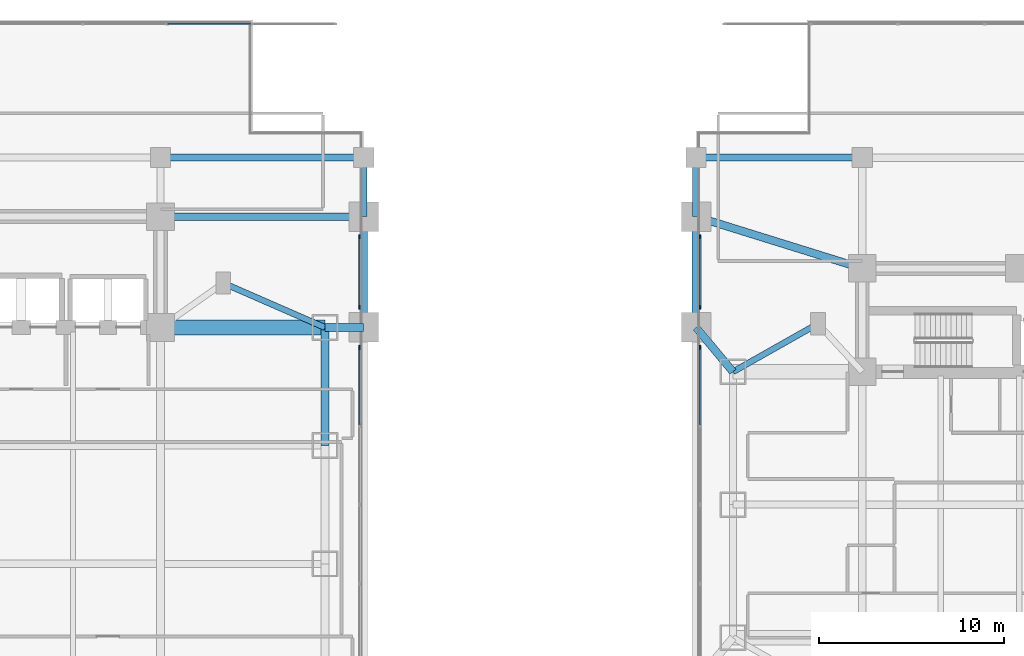
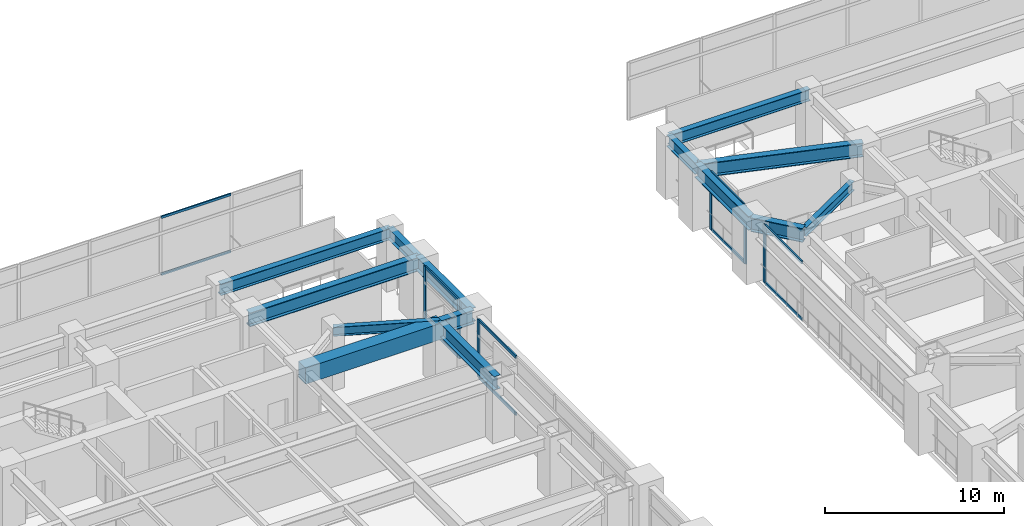
# One storey, part 7 of 31: 16 members, 14 beams, 5 elements without a shape of their own.
"""IFC4 building model written with IfcOpenShell, lengths in metres."""

from ifc_helpers import new_model, si_unit, direction, frame, origin, origin_2d, place, context, subcontext, project, spatial, rectangle, i_section, extrude, material, material_profile, profile_set, type_object, element, aggregate, save


model = new_model("IFC4")

# Units and contexts
model_context = context("Model", 3, precision=1e-05, world=origin(), true_north=direction((0.0, 1.0)))
body_context = subcontext(model_context, "Body", "Model", "MODEL_VIEW")
ifc_project = project(units=[si_unit("LENGTHUNIT", "METRE"), si_unit("AREAUNIT", "SQUARE_METRE"), si_unit("VOLUMEUNIT", "CUBIC_METRE"), si_unit("PLANEANGLEUNIT", "RADIAN"), si_unit("MASSUNIT", "GRAM", prefix="KILO")], contexts=[model_context])

# Site, building, storey
site_placement = place(None, origin())
site = spatial("IfcSite", under=ifc_project, at=site_placement, CompositionType="ELEMENT")
building_placement = place(site_placement, origin())
building = spatial("IfcBuilding", under=site, at=building_placement, Name="Mirazonda Arch Towers", CompositionType="ELEMENT")
storey_placement = place(building_placement, frame((0.0, 0.0, 5.199951171875)))
storey = spatial("IfcBuildingStorey", under=building, at=storey_placement, Name="L01", CompositionType="ELEMENT", Elevation=5.199951171875)

# Beams
ifc_material_1 = material(Name="Steel ASTM A992 Grade 50", Category="steel")
ifc_material_profile_1 = material_profile(ifc_material_1, i_section(OverallWidth=0.381103515625, OverallDepth=0.77294921875, WebThickness=0.0166015625, FlangeThickness=0.027099609375, at=origin_2d()), Name="W30X173")
ifc_profile_set_1 = profile_set([ifc_material_profile_1], Name="Steel ASTM A992 Grade 50")
beam_type_1 = type_object("IfcBeamType", Name="BM-EXT-W30X173", PredefinedType="USERDEFINED", material=ifc_profile_set_1)
beam_1_placement = place(storey_placement, frame((30.0, 46.800048828125, 3.593505859375), z_axis=(1.0, 0.0, 0.0), x_axis=(0.0, 1.0, 0.0)))
element("IfcBeam", 1, at=beam_1_placement, inside=storey, type_object=beam_type_1, Name="L01 Floor Beam BM-POD-L01-PN-3", ObjectType="GIRDER", PredefinedType="USERDEFINED", context=body_context, shape_type="SweptSolid", body=[
    extrude(i_section(OverallWidth=0.381103515625, OverallDepth=0.77294921875, WebThickness=0.0166015625, FlangeThickness=0.027099609375, at=origin_2d()), origin(), (0.0, 0.0, 1.0), 11.0),
])
beam_2_placement = place(storey_placement, frame((59.0, 46.800048828125, 3.593505859375), z_axis=(1.0, 0.0, 0.0), x_axis=(0.0, 1.0, 0.0)))
element("IfcBeam", 2, at=beam_2_placement, inside=storey, type_object=beam_type_1, Name="L01 Floor Beam BM-POD-L01-PN-4", ObjectType="GIRDER", PredefinedType="USERDEFINED", context=body_context, shape_type="SweptSolid", body=[
    extrude(i_section(OverallWidth=0.381103515625, OverallDepth=0.77294921875, WebThickness=0.0166015625, FlangeThickness=0.027099609375, at=origin_2d()), origin(), (0.0, 0.0, 1.0), 9.0),
])
ifc_material_profile_2 = material_profile(ifc_material_1, i_section(OverallWidth=0.41796875, OverallDepth=0.927001953125, WebThickness=0.019287109375, FlangeThickness=0.031982421875, at=origin_2d()), Name="W36X231")
ifc_profile_set_2 = profile_set([ifc_material_profile_2], Name="Steel ASTM A992 Grade 50")
beam_type_2 = type_object("IfcBeamType", Name="BM-EXT-W36X231", PredefinedType="USERDEFINED", material=ifc_profile_set_2)
beam_3_placement = place(storey_placement, frame((38.89990234375, 31.199951171875, 3.5166015625), z_axis=(0.0, 1.0, 0.0), x_axis=(-1.0, 0.0, 0.0)))
element("IfcBeam", 3, at=beam_3_placement, inside=storey, type_object=beam_type_2, Name="L01 Floor Beam BM-T1-L01-NS-E-31", ObjectType="GIRDER", PredefinedType="USERDEFINED", context=body_context, shape_type="SweptSolid", body=[
    extrude(i_section(OverallWidth=0.41796875, OverallDepth=0.927001953125, WebThickness=0.019287109375, FlangeThickness=0.031982421875, at=origin_2d()), origin(), (0.0, 0.0, 1.0), 6.400146484375),
])
ifc_material_profile_3 = material_profile(ifc_material_1, i_section(OverallWidth=0.423095703125, OverallDepth=0.947998046875, WebThickness=0.02392578125, FlangeThickness=0.042724609375, at=origin_2d()), Name="W36X302")
ifc_profile_set_3 = profile_set([ifc_material_profile_3], Name="Steel ASTM A992 Grade 50")
beam_type_3 = type_object("IfcBeamType", Name="BM-EXT-W36X302", PredefinedType="USERDEFINED", material=ifc_profile_set_3)
for number, where, z_axis, x_axis, name in (
    (4, (41.0, 37.60009765625, 3.506103515625), (0.0, 1.0, 0.0), (-1.0, 0.0, 0.0), "L01 Floor Beam BM-POD-L01-PA-WL3"),
    (5, (59.0, 37.60009765625, 3.506103515625), (0.0, 1.0, 0.0), (-1.0, 0.0, 0.0), "L01 Floor Beam BM-POD-L01-PA-EL3"),
):
    element("IfcBeam", number, at=place(storey_placement, frame(where, z_axis=z_axis, x_axis=x_axis)), inside=storey, type_object=beam_type_3, Name=name, ObjectType="GIRDER", PredefinedType="USERDEFINED", context=body_context, shape_type="SweptSolid", body=[
        extrude(i_section(OverallWidth=0.423095703125, OverallDepth=0.947998046875, WebThickness=0.02392578125, FlangeThickness=0.042724609375, at=origin_2d()), origin(), (0.0, 0.0, 1.0), 6.0),
    ])
ifc_material_profile_4 = material_profile(ifc_material_1, i_section(OverallWidth=0.324951171875, OverallDepth=0.615966796875, WebThickness=0.013916015625, FlangeThickness=0.021484375, at=origin_2d()), Name="W24X117")
ifc_profile_set_4 = profile_set([ifc_material_profile_4], Name="Steel ASTM A992 Grade 50")
beam_type_4 = type_object("IfcBeamType", Name="BM-INT-W24X117", PredefinedType="BEAM", material=ifc_profile_set_4)
beam_4_placement = place(storey_placement, frame((33.39990234375, 40.0, 3.672119140625), z_axis=(0.916545343703, -0.399930785183, 0.0), x_axis=(0.399930785183, 0.916545343703, 0.0)))
element("IfcBeam", 6, at=beam_4_placement, inside=storey, type_object=beam_type_4, Name="L01 Floor Beam BM-T1-L01-PL-NE2", PredefinedType="BEAM", context=body_context, shape_type="SweptSolid", body=[
    extrude(i_section(OverallWidth=0.324951171875, OverallDepth=0.615966796875, WebThickness=0.013916015625, FlangeThickness=0.021484375, at=origin_2d()), origin(), (0.0, 0.0, 1.0), 6.000732421875),
])
beam_5_placement = place(storey_placement, frame((65.60009765625, 37.800048828125, 3.672119140625), z_axis=(-0.870559396632, -0.492063346467, 0.0), x_axis=(0.492063346467, -0.870559396632, 0.0)))
element("IfcBeam", 7, at=beam_5_placement, inside=storey, type_object=beam_type_4, Name="L01 Floor Beam BM-T2-L01-PL-NW2", PredefinedType="BEAM", context=body_context, shape_type="SweptSolid", body=[
    extrude(i_section(OverallWidth=0.324951171875, OverallDepth=0.615966796875, WebThickness=0.013916015625, FlangeThickness=0.021484375, at=origin_2d()), origin(), (0.0, 0.0, 1.0), 5.2841796875),
])
ifc_material_profile_5 = material_profile(ifc_material_1, i_section(OverallWidth=0.381103515625, OverallDepth=0.77294921875, WebThickness=0.0166015625, FlangeThickness=0.027099609375, at=origin_2d()), Name="W30X173")
ifc_profile_set_5 = profile_set([ifc_material_profile_5], Name="Steel ASTM A992 Grade 50")
beam_type_5 = type_object("IfcBeamType", Name="BM-INT-W30X173", PredefinedType="USERDEFINED", material=ifc_profile_set_5)
for number, where, z_axis, x_axis, name in (
    (8, (41.0, 43.60009765625, 3.593505859375), (0.0, 1.0, 0.0), (-1.0, 0.0, 0.0), "L01 Floor Beam BM-POD-L01-PCN-4"),
    (9, (59.0, 43.60009765625, 3.593505859375), (0.0, 1.0, 0.0), (-1.0, 0.0, 0.0), "L01 Floor Beam BM-POD-L01-PCN-5"),
):
    element("IfcBeam", number, at=place(storey_placement, frame(where, z_axis=z_axis, x_axis=x_axis)), inside=storey, type_object=beam_type_5, Name=name, ObjectType="GIRDER", PredefinedType="USERDEFINED", context=body_context, shape_type="SweptSolid", body=[
        extrude(i_section(OverallWidth=0.381103515625, OverallDepth=0.77294921875, WebThickness=0.0166015625, FlangeThickness=0.027099609375, at=origin_2d()), origin(), (0.0, 0.0, 1.0), 3.199951171875),
    ])
ifc_material_profile_6 = material_profile(ifc_material_1, i_section(OverallWidth=0.423095703125, OverallDepth=0.947998046875, WebThickness=0.02392578125, FlangeThickness=0.042724609375, at=origin_2d()), Name="W36X302")
ifc_profile_set_6 = profile_set([ifc_material_profile_6], Name="Steel ASTM A992 Grade 50")
beam_type_6 = type_object("IfcBeamType", Name="BM-INT-W36X302", PredefinedType="USERDEFINED", material=ifc_profile_set_6)
beam_6_placement = place(storey_placement, frame((38.89990234375, 37.60009765625, 3.506103515625), z_axis=(1.0, 0.0, 0.0), x_axis=(0.0, 1.0, 0.0)))
element("IfcBeam", 10, at=beam_6_placement, inside=storey, type_object=beam_type_6, Name="L01 Floor Beam BM-POD-L01-PA-W3", ObjectType="GIRDER", PredefinedType="USERDEFINED", context=body_context, shape_type="SweptSolid", body=[
    extrude(i_section(OverallWidth=0.423095703125, OverallDepth=0.947998046875, WebThickness=0.02392578125, FlangeThickness=0.042724609375, at=origin_2d()), origin(), (0.0, 0.0, 1.0), 2.10009765625),
])
beam_7_placement = place(storey_placement, frame((30.0, 43.60009765625, 3.506103515625), z_axis=(1.0, 0.0, 0.0), x_axis=(0.0, 1.0, 0.0)))
element("IfcBeam", 11, at=beam_7_placement, inside=storey, type_object=beam_type_6, Name="L01 Floor Beam BM-POD-L01-PA-W4", ObjectType="GIRDER", PredefinedType="USERDEFINED", context=body_context, shape_type="SweptSolid", body=[
    extrude(i_section(OverallWidth=0.423095703125, OverallDepth=0.947998046875, WebThickness=0.02392578125, FlangeThickness=0.042724609375, at=origin_2d()), origin(), (0.0, 0.0, 1.0), 11.0),
])
beam_8_placement = place(storey_placement, frame((59.0, 37.60009765625, 3.506103515625), z_axis=(0.640161340286, -0.76824049516, 0.0), x_axis=(0.76824049516, 0.640161340286, 0.0)))
element("IfcBeam", 12, at=beam_8_placement, inside=storey, type_object=beam_type_6, Name="L01 Floor Beam BM-POD-L01-PA-E3", ObjectType="GIRDER", PredefinedType="USERDEFINED", context=body_context, shape_type="SweptSolid", body=[
    extrude(i_section(OverallWidth=0.423095703125, OverallDepth=0.947998046875, WebThickness=0.02392578125, FlangeThickness=0.042724609375, at=origin_2d()), origin(), (0.0, 0.0, 1.0), 3.124267578125),
])
beam_9_placement = place(storey_placement, frame((59.0, 43.60009765625, 3.506103515625), z_axis=(0.954855306861, -0.29707127589, 0.0), x_axis=(0.29707127589, 0.954855306861, 0.0)))
element("IfcBeam", 13, at=beam_9_placement, inside=storey, type_object=beam_type_6, Name="L01 Floor Beam BM-POD-L01-PA-E4", ObjectType="GIRDER", PredefinedType="USERDEFINED", context=body_context, shape_type="SweptSolid", body=[
    extrude(i_section(OverallWidth=0.423095703125, OverallDepth=0.947998046875, WebThickness=0.02392578125, FlangeThickness=0.042724609375, at=origin_2d()), origin(), (0.0, 0.0, 1.0), 9.425537109375),
])
ifc_material_2 = material(Name="Concrete C60/75", Category="concrete")
ifc_material_profile_7 = material_profile(ifc_material_2, rectangle(XDim=0.800048828125, YDim=1.10009765625, at=origin_2d()), Name="RCCB800x1100")
ifc_profile_set_7 = profile_set([ifc_material_profile_7], Name="Concrete C60/75")
beam_type_7 = type_object("IfcBeamType", Name="CB-INT-RCCB800x1100", PredefinedType="SPANDREL", material=ifc_profile_set_7)
beam_10_placement = place(storey_placement, frame((30.0, 37.60009765625, 3.429931640625), z_axis=(1.0, 0.0, 0.0), x_axis=(0.0, 1.0, 0.0)))
element("IfcBeam", 14, at=beam_10_placement, inside=storey, type_object=beam_type_7, Name="L01 Floor Beam CB-T1-L01-NE", PredefinedType="SPANDREL", context=body_context, shape_type="SweptSolid", body=[
    extrude(rectangle(XDim=0.800048828125, YDim=1.10009765625, at=origin_2d()), origin(), (0.0, 0.0, 1.0), 8.89990234375),
])

# Curtain wall, members
ifc_material_3 = material(Name="Anodised Aluminium and Low-E Glass", Category="aluminium")
curtain_wall_type_1 = type_object("IfcCurtainWallType", Name="CW-ARCH-GLAZE", PredefinedType="NOTDEFINED", material=ifc_material_3)
curtain_wall_1_placement = place(storey_placement, origin())
curtain_wall_1 = element("IfcCurtainWall", 15, at=curtain_wall_1_placement, inside=storey, type_object=curtain_wall_type_1, Name="L01 Curtain Wall CW-L01-AW-S1", PredefinedType="NOTDEFINED")
ifc_material_4 = material(Name="Anodised Aluminium Alloy", Category="aluminium")
ifc_material_profile_8 = material_profile(ifc_material_4, rectangle(XDim=0.090087890625, YDim=0.219970703125, at=origin_2d()), Name="ALU-MULL-90x220")
ifc_profile_set_8 = profile_set([ifc_material_profile_8], Name="Anodised Aluminium Alloy")
member_type_1 = type_object("IfcMemberType", Name="MULL-CW-ARCH-GLAZE", PredefinedType="MULLION", material=ifc_profile_set_8)
member_1_placement = place(storey_placement, frame((40.780029296875, 42.514892578125, 0.0), z_axis=(0.0, 0.0, 1.0), x_axis=(1.0, 0.0, 0.0)))
member_1 = element("IfcMember", 16, at=member_1_placement, type_object=member_type_1, Name="CW-106 mullion 1", PredefinedType="MULLION", context=body_context, shape_type="SweptSolid", body=[
    extrude(rectangle(XDim=0.090087890625, YDim=0.219970703125, at=origin_2d()), origin(), (0.0, 0.0, 1.0), 3.9599609375),
])
member_2_placement = place(storey_placement, frame((40.780029296875, 38.68505859375, 0.0), z_axis=(0.0, 0.0, 1.0), x_axis=(1.0, 0.0, 0.0)))
member_2 = element("IfcMember", 17, at=member_2_placement, type_object=member_type_1, Name="CW-106 mullion 2", PredefinedType="MULLION", context=body_context, shape_type="SweptSolid", body=[
    extrude(rectangle(XDim=0.090087890625, YDim=0.219970703125, at=origin_2d()), origin(), (0.0, 0.0, 1.0), 3.9599609375),
])

# Curtain wall, member
curtain_wall_2_placement = place(storey_placement, origin())
curtain_wall_2 = element("IfcCurtainWall", 18, at=curtain_wall_2_placement, inside=storey, type_object=curtain_wall_type_1, Name="L01 Curtain Wall CW-L01-AW-S2", PredefinedType="NOTDEFINED")
member_3_placement = place(storey_placement, frame((40.780029296875, 36.514892578125, 0.0), z_axis=(0.0, 0.0, 1.0), x_axis=(1.0, 0.0, 0.0)))
member_3 = element("IfcMember", 19, at=member_3_placement, type_object=member_type_1, Name="CW-106 mullion 1", PredefinedType="MULLION", context=body_context, shape_type="SweptSolid", body=[
    extrude(rectangle(XDim=0.090087890625, YDim=0.219970703125, at=origin_2d()), origin(), (0.0, 0.0, 1.0), 3.9599609375),
])

curtain_wall_3_placement = place(storey_placement, origin())
curtain_wall_3 = element("IfcCurtainWall", 20, at=curtain_wall_3_placement, inside=storey, type_object=curtain_wall_type_1, Name="L01 Curtain Wall CW-L01-AE-S3", PredefinedType="NOTDEFINED")
member_4_placement = place(storey_placement, frame((59.219970703125, 36.514892578125, 0.0), z_axis=(0.0, 0.0, 1.0), x_axis=(-1.0, 0.0, 0.0)))
member_4 = element("IfcMember", 21, at=member_4_placement, type_object=member_type_1, Name="CW-106 mullion 5", PredefinedType="MULLION", context=body_context, shape_type="SweptSolid", body=[
    extrude(rectangle(XDim=0.090087890625, YDim=0.219970703125, at=origin_2d()), origin(), (0.0, 0.0, 1.0), 3.9599609375),
])

# Curtain wall, members
curtain_wall_4_placement = place(storey_placement, origin())
curtain_wall_4 = element("IfcCurtainWall", 22, at=curtain_wall_4_placement, inside=storey, type_object=curtain_wall_type_1, Name="L01 Curtain Wall CW-L01-AE-S4", PredefinedType="NOTDEFINED")
member_5_placement = place(storey_placement, frame((59.219970703125, 38.68505859375, 0.0), z_axis=(0.0, 0.0, 1.0), x_axis=(-1.0, 0.0, 0.0)))
member_5 = element("IfcMember", 23, at=member_5_placement, type_object=member_type_1, Name="CW-106 mullion 1", PredefinedType="MULLION", context=body_context, shape_type="SweptSolid", body=[
    extrude(rectangle(XDim=0.090087890625, YDim=0.219970703125, at=origin_2d()), origin(), (0.0, 0.0, 1.0), 3.9599609375),
])
member_6_placement = place(storey_placement, frame((59.219970703125, 42.514892578125, 0.0), z_axis=(0.0, 0.0, 1.0), x_axis=(-1.0, 0.0, 0.0)))
member_6 = element("IfcMember", 24, at=member_6_placement, type_object=member_type_1, Name="CW-106 mullion 2", PredefinedType="MULLION", context=body_context, shape_type="SweptSolid", body=[
    extrude(rectangle(XDim=0.090087890625, YDim=0.219970703125, at=origin_2d()), origin(), (0.0, 0.0, 1.0), 3.9599609375),
])

# Member
ifc_material_profile_9 = material_profile(ifc_material_4, rectangle(XDim=0.090087890625, YDim=0.199951171875, at=origin_2d()), Name="ALU-TRAN-90x200")
ifc_profile_set_9 = profile_set([ifc_material_profile_9], Name="Anodised Aluminium Alloy")
member_type_2 = type_object("IfcMemberType", Name="TRAN-CW-ARCH-GLAZE", PredefinedType="USERDEFINED", material=ifc_profile_set_9)
member_7_placement = place(storey_placement, frame((40.780029296875, 42.469970703125, 0.045166015625), z_axis=(0.0, -1.0, 0.0), x_axis=(1.0, 0.0, 0.0)))
member_7 = element("IfcMember", 25, at=member_7_placement, type_object=member_type_2, Name="CW-106 transom 1.1", ObjectType="TRANSOM", PredefinedType="USERDEFINED", context=body_context, shape_type="SweptSolid", body=[
    extrude(rectangle(XDim=0.090087890625, YDim=0.199951171875, at=origin_2d()), origin(), (0.0, 0.0, 1.0), 3.739990234375),
])

member_8_placement = place(storey_placement, frame((40.780029296875, 42.469970703125, 3.9150390625), z_axis=(0.0, -1.0, 0.0), x_axis=(1.0, 0.0, 0.0)))
member_8 = element("IfcMember", 26, at=member_8_placement, type_object=member_type_2, Name="CW-106 transom 1.2", ObjectType="TRANSOM", PredefinedType="USERDEFINED", context=body_context, shape_type="SweptSolid", body=[
    extrude(rectangle(XDim=0.090087890625, YDim=0.199951171875, at=origin_2d()), origin(), (0.0, 0.0, 1.0), 3.739990234375),
])

aggregate(curtain_wall_1, [member_1, member_2, member_7, member_8])

member_9_placement = place(storey_placement, frame((40.780029296875, 36.469970703125, 0.045166015625), z_axis=(0.0, -1.0, 0.0), x_axis=(1.0, 0.0, 0.0)))
member_9 = element("IfcMember", 27, at=member_9_placement, type_object=member_type_2, Name="CW-106 transom 1.1", ObjectType="TRANSOM", PredefinedType="USERDEFINED", context=body_context, shape_type="SweptSolid", body=[
    extrude(rectangle(XDim=0.090087890625, YDim=0.199951171875, at=origin_2d()), origin(), (0.0, 0.0, 1.0), 4.14501953125),
])

member_10_placement = place(storey_placement, frame((40.780029296875, 36.469970703125, 3.9150390625), z_axis=(0.0, -1.0, 0.0), x_axis=(1.0, 0.0, 0.0)))
member_10 = element("IfcMember", 28, at=member_10_placement, type_object=member_type_2, Name="CW-106 transom 1.2", ObjectType="TRANSOM", PredefinedType="USERDEFINED", context=body_context, shape_type="SweptSolid", body=[
    extrude(rectangle(XDim=0.090087890625, YDim=0.199951171875, at=origin_2d()), origin(), (0.0, 0.0, 1.0), 4.14501953125),
])

aggregate(curtain_wall_2, [member_3, member_9, member_10])

member_11_placement = place(storey_placement, frame((59.219970703125, 32.324951171875, 0.045166015625), z_axis=(0.0, 1.0, 0.0), x_axis=(-1.0, 0.0, 0.0)))
member_11 = element("IfcMember", 29, at=member_11_placement, type_object=member_type_2, Name="CW-106 transom 4.1", ObjectType="TRANSOM", PredefinedType="USERDEFINED", context=body_context, shape_type="SweptSolid", body=[
    extrude(rectangle(XDim=0.090087890625, YDim=0.199951171875, at=origin_2d()), origin(), (0.0, 0.0, 1.0), 4.14501953125),
])

member_12_placement = place(storey_placement, frame((59.219970703125, 32.324951171875, 3.9150390625), z_axis=(0.0, 1.0, 0.0), x_axis=(-1.0, 0.0, 0.0)))
member_12 = element("IfcMember", 30, at=member_12_placement, type_object=member_type_2, Name="CW-106 transom 4.2", ObjectType="TRANSOM", PredefinedType="USERDEFINED", context=body_context, shape_type="SweptSolid", body=[
    extrude(rectangle(XDim=0.090087890625, YDim=0.199951171875, at=origin_2d()), origin(), (0.0, 0.0, 1.0), 4.14501953125),
])

aggregate(curtain_wall_3, [member_4, member_11, member_12])

member_13_placement = place(storey_placement, frame((59.219970703125, 38.72998046875, 0.045166015625), z_axis=(0.0, 1.0, 0.0), x_axis=(-1.0, 0.0, 0.0)))
member_13 = element("IfcMember", 31, at=member_13_placement, type_object=member_type_2, Name="CW-106 transom 1.1", ObjectType="TRANSOM", PredefinedType="USERDEFINED", context=body_context, shape_type="SweptSolid", body=[
    extrude(rectangle(XDim=0.090087890625, YDim=0.199951171875, at=origin_2d()), origin(), (0.0, 0.0, 1.0), 3.739990234375),
])

member_14_placement = place(storey_placement, frame((59.219970703125, 38.72998046875, 3.9150390625), z_axis=(0.0, 1.0, 0.0), x_axis=(-1.0, 0.0, 0.0)))
member_14 = element("IfcMember", 32, at=member_14_placement, type_object=member_type_2, Name="CW-106 transom 1.2", ObjectType="TRANSOM", PredefinedType="USERDEFINED", context=body_context, shape_type="SweptSolid", body=[
    extrude(rectangle(XDim=0.090087890625, YDim=0.199951171875, at=origin_2d()), origin(), (0.0, 0.0, 1.0), 3.739990234375),
])

aggregate(curtain_wall_4, [member_5, member_6, member_13, member_14])

# Curtain wall, members
curtain_wall_type_2 = type_object("IfcCurtainWallType", Name="CW-POD-STORE", PredefinedType="NOTDEFINED", material=ifc_material_3)
curtain_wall_5_placement = place(storey_placement, origin())
curtain_wall_5 = element("IfcCurtainWall", 33, at=curtain_wall_5_placement, inside=storey, type_object=curtain_wall_type_2, Name="L01 Curtain Wall CW-L01-WN", PredefinedType="NOTDEFINED")
ifc_material_profile_10 = material_profile(ifc_material_4, rectangle(XDim=0.080078125, YDim=0.159912109375, at=origin_2d()), Name="ALU-TRAN-80x160")
ifc_profile_set_10 = profile_set([ifc_material_profile_10], Name="Anodised Aluminium Alloy")
member_type_3 = type_object("IfcMemberType", Name="TRAN-CW-POD-STORE", PredefinedType="USERDEFINED", material=ifc_profile_set_10)
member_15_placement = place(storey_placement, frame((30.397216796875, 54.030029296875, 0.0400390625), z_axis=(1.0, 0.0, 0.0), x_axis=(0.0, 1.0, 0.0)))
member_15 = element("IfcMember", 34, at=member_15_placement, type_object=member_type_3, Name="CW-102 transom 6.1", ObjectType="TRANSOM", PredefinedType="USERDEFINED", context=body_context, shape_type="SweptSolid", body=[
    extrude(rectangle(XDim=0.080078125, YDim=0.159912109375, at=origin_2d()), origin(), (0.0, 0.0, 1.0), 4.491455078125),
])
member_16_placement = place(storey_placement, frame((30.397216796875, 54.030029296875, 3.920166015625), z_axis=(1.0, 0.0, 0.0), x_axis=(0.0, 1.0, 0.0)))
member_16 = element("IfcMember", 35, at=member_16_placement, type_object=member_type_3, Name="CW-102 transom 6.2", ObjectType="TRANSOM", PredefinedType="USERDEFINED", context=body_context, shape_type="SweptSolid", body=[
    extrude(rectangle(XDim=0.080078125, YDim=0.159912109375, at=origin_2d()), origin(), (0.0, 0.0, 1.0), 4.491455078125),
])
aggregate(curtain_wall_5, [member_15, member_16])

save(model, "model.ifc")
